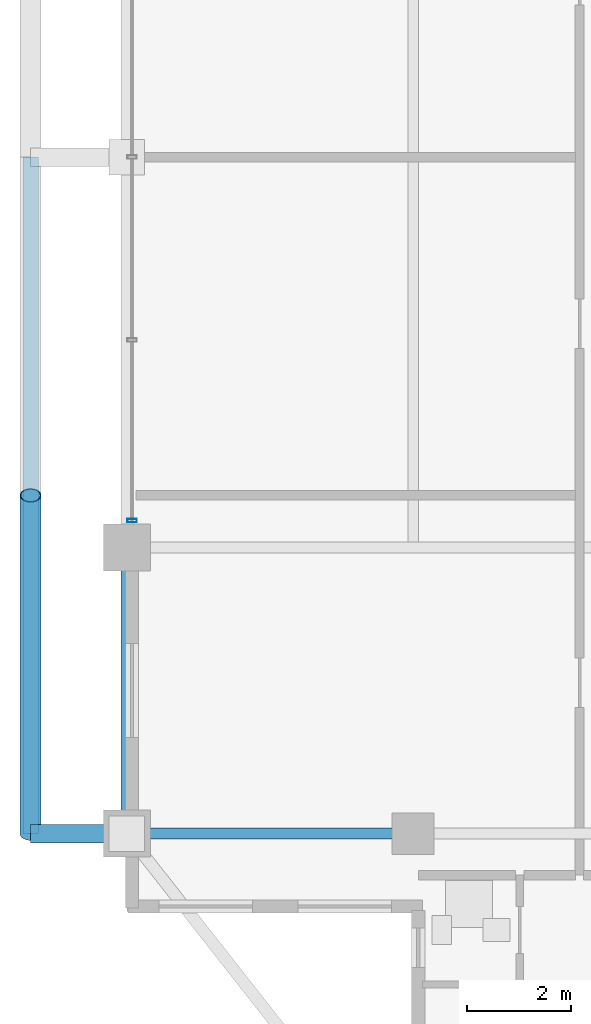
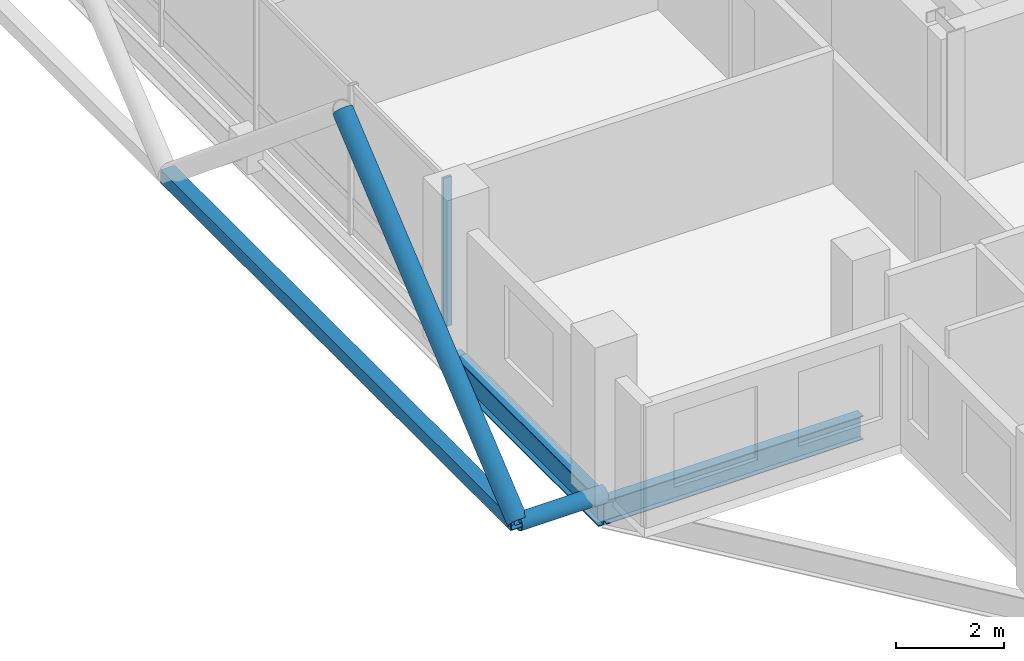
# One storey, part 3 of 21: 4 members, 2 beams, 1 element without a shape of its own.
"""IFC4 building model written with IfcOpenShell, lengths in metres."""

from ifc_helpers import new_model, si_unit, direction, frame, origin, origin_2d, place, context, subcontext, project, spatial, hollow_rectangle, hollow_circle, i_section, extrude, material, layer, layer_set, material_profile, profile_set, type_object, element, aggregate, save


model = new_model("IFC4")

# Units and contexts
model_context = context("Model", 3, precision=1e-05, world=origin(), true_north=direction((0.0, 1.0)))
body_context = subcontext(model_context, "Body", "Model", "MODEL_VIEW")
ifc_project = project(units=[si_unit("LENGTHUNIT", "METRE"), si_unit("AREAUNIT", "SQUARE_METRE"), si_unit("VOLUMEUNIT", "CUBIC_METRE"), si_unit("PLANEANGLEUNIT", "RADIAN"), si_unit("MASSUNIT", "GRAM", prefix="KILO")], contexts=[model_context])

# Site, building, storey
site_placement = place(None, origin())
site = spatial("IfcSite", under=ifc_project, at=site_placement, CompositionType="ELEMENT")
building_placement = place(site_placement, origin())
building = spatial("IfcBuilding", under=site, at=building_placement, Name="Barlavira Tower and Art Museum", CompositionType="ELEMENT")
storey_placement = place(building_placement, frame((0.0, 0.0, 261.89990234375)))
storey = spatial("IfcBuildingStorey", under=building, at=storey_placement, Name="L68", CompositionType="ELEMENT", Elevation=261.89990234375)

# Curtain wall, member
ifc_material_1 = material(Name="Low-iron coastal laminated glass", Category="glass")
ifc_layer = layer(ifc_material_1, 0.2099609375, Name="Low-iron coastal laminated glass")
ifc_layer_set = layer_set([ifc_layer], Name="Low-iron coastal laminated glass")
curtain_wall_type = type_object("IfcCurtainWallType", Name="Pale-Metal Unitised Curtain Wall Zone 4", PredefinedType="NOTDEFINED", material=ifc_layer_set)
curtain_wall_placement = place(storey_placement, origin())
curtain_wall = element("IfcCurtainWall", 1, at=curtain_wall_placement, inside=storey, type_object=curtain_wall_type, Name="L68 Curtain Wall CW4-L68-W-B2", PredefinedType="NOTDEFINED")
ifc_material_2 = material(Name="Pale anodised aluminium", Category="aluminium")
ifc_material_profile_1 = material_profile(ifc_material_2, hollow_rectangle(XDim=0.06494140625, YDim=0.179931640625, WallThickness=0.00390625, at=origin_2d()), Name="ALU-MULL 65x180x4")
ifc_profile_set_1 = profile_set([ifc_material_profile_1], Name="Pale anodised aluminium")
member_type_1 = type_object("IfcMemberType", Name="Curtain Wall Pale-Metal Mullion 65x180", PredefinedType="MULLION", material=ifc_profile_set_1)
member_1_placement = place(storey_placement, frame((-16.89990234375, -6.985107421875, 0.0), z_axis=(0.0, 0.0, 1.0), x_axis=(0.0, -1.0, 0.0)))
member_1 = element("IfcMember", 2, at=member_1_placement, type_object=member_type_1, Name="CW4-L68-W-B2 Mullion 4", PredefinedType="MULLION", context=body_context, shape_type="SweptSolid", body=[
    extrude(hollow_rectangle(XDim=0.06494140625, YDim=0.179931640625, WallThickness=0.00390625, at=origin_2d()), origin(), (0.0, 0.0, 1.0), 3.380126953125),
])
aggregate(curtain_wall, [member_1])

# Members
ifc_material_3 = material(Name="Steel S355", Category="steel")
ifc_material_profile_2 = material_profile(ifc_material_3, hollow_circle(Radius=0.203125, WallThickness=0.01611328125, at=origin_2d()), Name="CHS 406.4x16.0")
ifc_profile_set_2 = profile_set([ifc_material_profile_2], Name="Steel S355")
member_type_2 = type_object("IfcMemberType", Name="Pale-Metal Exoskeleton Diagrid Tube CHS 406x16 Steel S355", PredefinedType="BRACE", material=ifc_profile_set_2)
member_2_placement = place(storey_placement, frame((-18.85009765625, -13.0, -0.119873046875), z_axis=(0.0, 0.769196053329, 0.639012857104), x_axis=(-1.0, 0.0, 0.0)))
element("IfcMember", 3, at=member_2_placement, inside=storey, type_object=member_type_2, Name="L68 Exoskeleton Diagrid Tube W", PredefinedType="BRACE", context=body_context, shape_type="SweptSolid", body=[
    extrude(hollow_circle(Radius=0.203125, WallThickness=0.01611328125, at=origin_2d()), origin(), (0.0, 0.0, 1.0), 8.450439453125),
])
ifc_material_profile_3 = material_profile(ifc_material_3, hollow_circle(Radius=0.177734375, WallThickness=0.01611328125, at=origin_2d()), Name="CHS 355.6x16.0")
ifc_profile_set_3 = profile_set([ifc_material_profile_3], Name="Steel S355")
member_type_3 = type_object("IfcMemberType", Name="Pale-Metal Exoskeleton Tie Strut CHS 356x16 Steel S355", PredefinedType="STRUT", material=ifc_profile_set_3)
member_3_placement = place(storey_placement, frame((-18.85009765625, -13.0, -0.119873046875), z_axis=(1.0, 0.0, 0.0), x_axis=(0.0, 1.0, 0.0)))
element("IfcMember", 4, at=member_3_placement, inside=storey, type_object=member_type_3, Name="L68 Exoskeleton Tie Strut W1", PredefinedType="STRUT", context=body_context, shape_type="SweptSolid", body=[
    extrude(hollow_circle(Radius=0.177734375, WallThickness=0.01611328125, at=origin_2d()), origin(), (0.0, 0.0, 1.0), 1.85009765625),
])
ifc_material_profile_4 = material_profile(ifc_material_3, hollow_rectangle(XDim=0.300048828125, YDim=0.300048828125, WallThickness=0.01611328125, at=origin_2d()), Name="SHS 300x300x16.0")
ifc_profile_set_4 = profile_set([ifc_material_profile_4], Name="Steel S355")
member_type_4 = type_object("IfcMemberType", Name="Pale-Metal Upper Ring Strut SHS 300x300x16 Steel S355", PredefinedType="STRUT", material=ifc_profile_set_4)
member_4_placement = place(storey_placement, frame((-18.85009765625, -13.0, -0.119873046875), z_axis=(0.0, 1.0, 0.0), x_axis=(-1.0, 0.0, 0.0)))
element("IfcMember", 5, at=member_4_placement, inside=storey, type_object=member_type_4, Name="L68 Exoskeleton Ring Strut W", PredefinedType="STRUT", context=body_context, shape_type="SweptSolid", body=[
    extrude(hollow_rectangle(XDim=0.300048828125, YDim=0.300048828125, WallThickness=0.01611328125, at=origin_2d()), origin(), (0.0, 0.0, 1.0), 13.0),
])

# Beams
ifc_material_profile_5 = material_profile(ifc_material_3, i_section(OverallWidth=0.22998046875, OverallDepth=0.616943359375, WebThickness=0.01318359375, FlangeThickness=0.022216796875, at=origin_2d()), Name="W610x140.0")
ifc_profile_set_5 = profile_set([ifc_material_profile_5], Name="Steel S355")
beam_type_1 = type_object("IfcBeamType", Name="Upper Shaft Spandrel Edge Beam W610x140 Steel S355", PredefinedType="SPANDREL", material=ifc_profile_set_5)
beam_1_placement = place(storey_placement, frame((-17.0, -13.0, -0.5283203125), z_axis=(0.0, 1.0, 0.0), x_axis=(-1.0, 0.0, 0.0)))
element("IfcBeam", 6, at=beam_1_placement, inside=storey, type_object=beam_type_1, Name="L68 Spandrel 15", PredefinedType="SPANDREL", context=body_context, shape_type="SweptSolid", body=[
    extrude(i_section(OverallWidth=0.22998046875, OverallDepth=0.616943359375, WebThickness=0.01318359375, FlangeThickness=0.022216796875, at=origin_2d()), origin(), (0.0, 0.0, 1.0), 5.5),
])
ifc_material_profile_6 = material_profile(ifc_material_3, i_section(OverallWidth=0.2109375, OverallDepth=0.5390625, WebThickness=0.01171875, FlangeThickness=0.018798828125, at=origin_2d()), Name="W530x109.0")
ifc_profile_set_6 = profile_set([ifc_material_profile_6], Name="Steel S355")
beam_type_2 = type_object("IfcBeamType", Name="Zone 3-4 Primary Floor Girder W530x109 Steel S355", PredefinedType="BEAM", material=ifc_profile_set_6)
beam_2_placement = place(storey_placement, frame((-17.0, -13.0, -0.489501953125), z_axis=(1.0, 0.0, 0.0), x_axis=(0.0, 1.0, 0.0)))
element("IfcBeam", 7, at=beam_2_placement, inside=storey, type_object=beam_type_2, Name="L68 Girder I-S1", PredefinedType="BEAM", context=body_context, shape_type="SweptSolid", body=[
    extrude(i_section(OverallWidth=0.2109375, OverallDepth=0.5390625, WebThickness=0.01171875, FlangeThickness=0.018798828125, at=origin_2d()), origin(), (0.0, 0.0, 1.0), 5.5),
])

save(model, "model.ifc")
